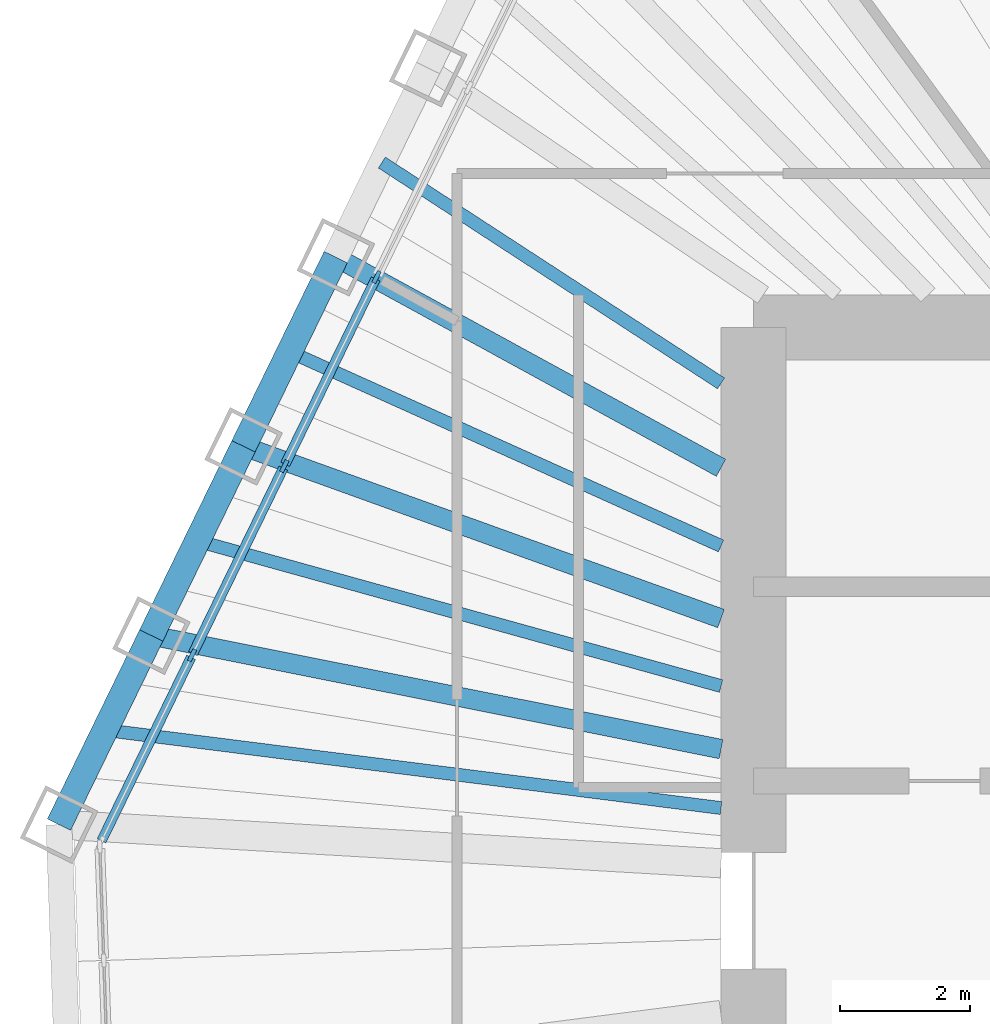
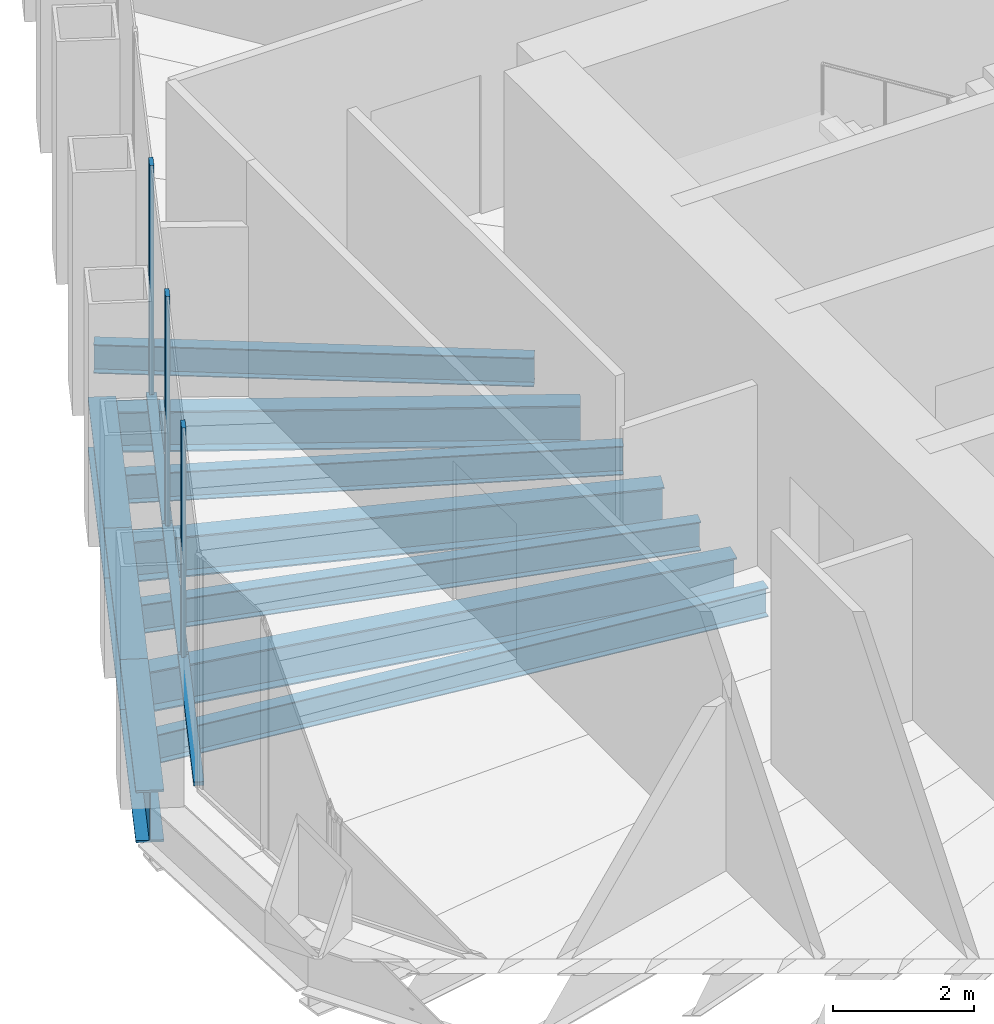
# One storey, part 4 of 14: 10 beams, 6 members, 1 element without a shape of its own.
"""IFC4 building model written with IfcOpenShell, lengths in metres."""

from ifc_helpers import new_model, si_unit, direction, frame, origin, origin_2d, place, context, subcontext, project, spatial, rectangle, i_section, extrude, material, material_profile, profile_set, type_object, element, aggregate, save


model = new_model("IFC4")

# Units and contexts
model_context = context("Model", 3, precision=1e-05, world=origin(), true_north=direction((0.0, 1.0)))
body_context = subcontext(model_context, "Body", "Model", "MODEL_VIEW")
ifc_project = project(units=[si_unit("LENGTHUNIT", "METRE"), si_unit("AREAUNIT", "SQUARE_METRE"), si_unit("VOLUMEUNIT", "CUBIC_METRE"), si_unit("PLANEANGLEUNIT", "RADIAN"), si_unit("MASSUNIT", "GRAM", prefix="KILO")], contexts=[model_context])

# Site, building, storey
site_placement = place(None, origin())
site = spatial("IfcSite", under=ifc_project, at=site_placement, CompositionType="ELEMENT")
building_placement = place(site_placement, origin())
building = spatial("IfcBuilding", under=site, at=building_placement, Name="Qingtian Harvest Tower", CompositionType="ELEMENT")
storey_placement = place(building_placement, frame((0.0, 0.0, 295.60009765625)))
storey = spatial("IfcBuildingStorey", under=building, at=storey_placement, Name="L65", CompositionType="ELEMENT", Elevation=295.60009765625)

# Beams
ifc_material_1 = material(Name="Steel SN490B", Category="steel")
ifc_material_profile_1 = material_profile(ifc_material_1, i_section(OverallWidth=0.300048828125, OverallDepth=0.699951171875, WebThickness=0.012939453125, FlangeThickness=0.02392578125, at=origin_2d()), Name="H700x300x13x24")
ifc_profile_set_1 = profile_set([ifc_material_profile_1], Name="Steel SN490B")
beam_type_1 = type_object("IfcBeamType", Name="Floor beam FB4 H700x300x13x24", PredefinedType="BEAM", material=ifc_profile_set_1)
beam_1_placement = place(storey_placement, frame((-21.29345703125, 4.246337890625, -0.52001953125), z_axis=(0.980688391079, -0.195576786971, 0.0), x_axis=(0.195576786971, 0.980688391079, 0.0)))
element("IfcBeam", 1, at=beam_1_placement, inside=storey, type_object=beam_type_1, Name="Floor beam FB4 NW1", PredefinedType="BEAM", context=body_context, shape_type="SweptSolid", body=[
    extrude(i_section(OverallWidth=0.300048828125, OverallDepth=0.699951171875, WebThickness=0.012939453125, FlangeThickness=0.02392578125, at=origin_2d()), origin(), (0.0, 0.0, 1.0), 8.966552734375),
])
beam_2_placement = place(storey_placement, frame((-19.86962890625, 7.165771484375, -0.52001953125), z_axis=(0.940688220757, -0.339272267256, 0.0), x_axis=(0.339272267256, 0.940688220757, 0.0)))
element("IfcBeam", 2, at=beam_2_placement, inside=storey, type_object=beam_type_1, Name="Floor beam FB4 NW2", PredefinedType="BEAM", context=body_context, shape_type="SweptSolid", body=[
    extrude(i_section(OverallWidth=0.300048828125, OverallDepth=0.699951171875, WebThickness=0.012939453125, FlangeThickness=0.02392578125, at=origin_2d()), origin(), (0.0, 0.0, 1.0), 7.834228515625),
])
beam_3_placement = place(storey_placement, frame((-18.44580078125, 10.0849609375, -0.52001953125), z_axis=(0.877425639682, -0.479712671116, 0.0), x_axis=(0.479712671116, 0.877425639682, 0.0)))
element("IfcBeam", 3, at=beam_3_placement, inside=storey, type_object=beam_type_1, Name="Floor beam FB4 NW3", PredefinedType="BEAM", context=body_context, shape_type="SweptSolid", body=[
    extrude(i_section(OverallWidth=0.300048828125, OverallDepth=0.699951171875, WebThickness=0.012939453125, FlangeThickness=0.02392578125, at=origin_2d()), origin(), (0.0, 0.0, 1.0), 6.7763671875),
])
ifc_material_2 = material(Name="Steel SN490B", Category="steel")
ifc_material_profile_2 = material_profile(ifc_material_2, i_section(OverallWidth=0.199951171875, OverallDepth=0.5, WebThickness=0.010009765625, FlangeThickness=0.01611328125, at=origin_2d()), Name="H500x200x10x16")
ifc_profile_set_2 = profile_set([ifc_material_profile_2], Name="Steel SN490B")
beam_type_2 = type_object("IfcBeamType", Name="Floor joist J3 H500x200x10x16", PredefinedType="JOIST", material=ifc_profile_set_2)
beam_4_placement = place(storey_placement, frame((-22.00537109375, 2.78662109375, -0.420166015625), z_axis=(0.992078247837, -0.125621455844, 0.0), x_axis=(0.125621455844, 0.992078247837, 0.0)))
element("IfcBeam", 4, at=beam_4_placement, inside=storey, type_object=beam_type_2, Name="Floor joist J3 NW0", PredefinedType="JOIST", context=body_context, shape_type="SweptSolid", body=[
    extrude(i_section(OverallWidth=0.199951171875, OverallDepth=0.5, WebThickness=0.010009765625, FlangeThickness=0.01611328125, at=origin_2d()), origin(), (0.0, 0.0, 1.0), 9.581298828125),
])
beam_5_placement = place(storey_placement, frame((-20.58154296875, 5.7060546875, -0.420166015625), z_axis=(0.963652918134, -0.267157356949, 0.0), x_axis=(0.267157356949, 0.963652918134, 0.0)))
element("IfcBeam", 5, at=beam_5_placement, inside=storey, type_object=beam_type_2, Name="Floor joist J3 NW1", PredefinedType="JOIST", context=body_context, shape_type="SweptSolid", body=[
    extrude(i_section(OverallWidth=0.199951171875, OverallDepth=0.5, WebThickness=0.010009765625, FlangeThickness=0.01611328125, at=origin_2d()), origin(), (0.0, 0.0, 1.0), 8.386474609375),
])
beam_6_placement = place(storey_placement, frame((-19.15771484375, 8.625244140625, -0.420166015625), z_axis=(0.911852669976, -0.410517610168, 0.0), x_axis=(0.410517610168, 0.911852669976, 0.0)))
element("IfcBeam", 6, at=beam_6_placement, inside=storey, type_object=beam_type_2, Name="Floor joist J3 NW2", PredefinedType="JOIST", context=body_context, shape_type="SweptSolid", body=[
    extrude(i_section(OverallWidth=0.199951171875, OverallDepth=0.5, WebThickness=0.010009765625, FlangeThickness=0.01611328125, at=origin_2d()), origin(), (0.0, 0.0, 1.0), 7.30126953125),
])
beam_7_placement = place(storey_placement, frame((-17.73388671875, 11.544677734375, -0.420166015625), z_axis=(0.838062930903, -0.545573573266, 0.0), x_axis=(0.545573573266, 0.838062930903, 0.0)))
element("IfcBeam", 7, at=beam_7_placement, inside=storey, type_object=beam_type_2, Name="Floor joist J3 NW3", PredefinedType="JOIST", context=body_context, shape_type="SweptSolid", body=[
    extrude(i_section(OverallWidth=0.199951171875, OverallDepth=0.5, WebThickness=0.010009765625, FlangeThickness=0.01611328125, at=origin_2d()), origin(), (0.0, 0.0, 1.0), 6.2451171875),
])

# Curtain wall, members
ifc_material_3 = material(Name="Bronze-anodised aluminium curtain wall", Category="aluminium")
curtain_wall_type = type_object("IfcCurtainWallType", Name="Curtain wall CW5 upper office", PredefinedType="USERDEFINED", material=ifc_material_3)
curtain_wall_placement = place(storey_placement, origin())
curtain_wall = element("IfcCurtainWall", 8, at=curtain_wall_placement, inside=storey, type_object=curtain_wall_type, Name="Curtain wall CW5 L65 NW0-5", ObjectType="RECESSED CURTAIN WALL", PredefinedType="USERDEFINED")
ifc_material_4 = material(Name="Bronze-anodised aluminium mullion", Category="aluminium")
ifc_material_profile_3 = material_profile(ifc_material_4, rectangle(XDim=0.06494140625, YDim=0.199951171875, at=origin_2d()), Name="AL 65x200")
ifc_profile_set_3 = profile_set([ifc_material_profile_3], Name="Bronze-anodised aluminium mullion")
member_type_1 = type_object("IfcMemberType", Name="Mullion CWM 65x200", PredefinedType="MULLION", material=ifc_profile_set_3)
member_1_placement = place(storey_placement, frame((-20.664306640625, 3.939453125, 0.0), z_axis=(0.0, 0.0, 1.0), x_axis=(-0.898794046299, 0.438371146789, 0.0)))
member_1 = element("IfcMember", 9, at=member_1_placement, type_object=member_type_1, Name="CW5 mullion 2", PredefinedType="MULLION", context=body_context, shape_type="SweptSolid", body=[
    extrude(rectangle(XDim=0.06494140625, YDim=0.199951171875, at=origin_2d()), origin(), (0.0, 0.0, 1.0), 4.02978515625),
])
member_2_placement = place(storey_placement, frame((-19.240478515625, 6.85888671875, 0.0), z_axis=(0.0, 0.0, 1.0), x_axis=(-0.898794046299, 0.438371146789, 0.0)))
member_2 = element("IfcMember", 10, at=member_2_placement, type_object=member_type_1, Name="CW5 mullion 3", PredefinedType="MULLION", context=body_context, shape_type="SweptSolid", body=[
    extrude(rectangle(XDim=0.06494140625, YDim=0.199951171875, at=origin_2d()), origin(), (0.0, 0.0, 1.0), 4.02978515625),
])
member_3_placement = place(storey_placement, frame((-17.816650390625, 9.778076171875, 0.0), z_axis=(0.0, 0.0, 1.0), x_axis=(-0.898794046299, 0.438371146789, 0.0)))
member_3 = element("IfcMember", 11, at=member_3_placement, type_object=member_type_1, Name="CW5 mullion 4", PredefinedType="MULLION", context=body_context, shape_type="SweptSolid", body=[
    extrude(rectangle(XDim=0.06494140625, YDim=0.199951171875, at=origin_2d()), origin(), (0.0, 0.0, 1.0), 4.02978515625),
])

# Beams
ifc_material_5 = material(Name="Steel SN490B", Category="steel")
ifc_material_profile_4 = material_profile(ifc_material_5, i_section(OverallWidth=0.39990234375, OverallDepth=0.89990234375, WebThickness=0.01904296875, FlangeThickness=0.035888671875, at=origin_2d()), Name="H900x400x19x36")
ifc_profile_set_4 = profile_set([ifc_material_profile_4], Name="Steel SN490B")
beam_type_3 = type_object("IfcBeamType", Name="Spandrel beam SB4 H900x400x19x36", PredefinedType="SPANDREL", material=ifc_profile_set_4)
beam_8_placement = place(storey_placement, frame((-22.71728515625, 1.3271484375, -0.4501953125), z_axis=(0.438382164311, 0.898788672611, 0.0), x_axis=(-0.898788672611, 0.438382164311, 0.0)))
element("IfcBeam", 12, at=beam_8_placement, inside=storey, type_object=beam_type_3, Name="Spandrel SB4 NW0", PredefinedType="SPANDREL", context=body_context, shape_type="SweptSolid", body=[
    extrude(i_section(OverallWidth=0.39990234375, OverallDepth=0.89990234375, WebThickness=0.01904296875, FlangeThickness=0.035888671875, at=origin_2d()), origin(), (0.0, 0.0, 1.0), 3.247802734375),
])
beam_9_placement = place(storey_placement, frame((-21.29345703125, 4.246337890625, -0.4501953125), z_axis=(0.438352548749, 0.898803116931, 0.0), x_axis=(-0.898803116931, 0.438352548749, 0.0)))
element("IfcBeam", 13, at=beam_9_placement, inside=storey, type_object=beam_type_3, Name="Spandrel SB4 NW1", PredefinedType="SPANDREL", context=body_context, shape_type="SweptSolid", body=[
    extrude(i_section(OverallWidth=0.39990234375, OverallDepth=0.89990234375, WebThickness=0.01904296875, FlangeThickness=0.035888671875, at=origin_2d()), origin(), (0.0, 0.0, 1.0), 3.248046875),
])
beam_10_placement = place(storey_placement, frame((-19.86962890625, 7.165771484375, -0.4501953125), z_axis=(0.438382164311, 0.898788672611, 0.0), x_axis=(-0.898788672611, 0.438382164311, 0.0)))
element("IfcBeam", 14, at=beam_10_placement, inside=storey, type_object=beam_type_3, Name="Spandrel SB4 NW2", PredefinedType="SPANDREL", context=body_context, shape_type="SweptSolid", body=[
    extrude(i_section(OverallWidth=0.39990234375, OverallDepth=0.89990234375, WebThickness=0.01904296875, FlangeThickness=0.035888671875, at=origin_2d()), origin(), (0.0, 0.0, 1.0), 3.247802734375),
])

# Member
ifc_material_6 = material(Name="Bronze-anodised aluminium transom", Category="aluminium")
ifc_material_profile_5 = material_profile(ifc_material_6, rectangle(XDim=0.14990234375, YDim=0.06494140625, at=origin_2d()), Name="AL 65x150")
ifc_profile_set_5 = profile_set([ifc_material_profile_5], Name="Bronze-anodised aluminium transom")
member_type_2 = type_object("IfcMemberType", Name="Transom CWT 65x150", PredefinedType="USERDEFINED", material=ifc_profile_set_5)
member_4_placement = place(storey_placement, frame((-22.059814453125, 1.07861328125, 0.032470703125), z_axis=(0.438357982629, 0.89880046677, 0.0), x_axis=(-0.89880046677, 0.438357982629, 0.0)))
member_4 = element("IfcMember", 15, at=member_4_placement, type_object=member_type_2, Name="CW5 transom 1.1", ObjectType="TRANSOM", PredefinedType="USERDEFINED", context=body_context, shape_type="SweptSolid", body=[
    extrude(rectangle(XDim=0.14990234375, YDim=0.06494140625, at=origin_2d()), origin(), (0.0, 0.0, 1.0), 3.150634765625),
])

member_5_placement = place(storey_placement, frame((-20.650146484375, 3.96875, 0.032470703125), z_axis=(0.438355626738, 0.898801615768, 0.0), x_axis=(-0.898801615768, 0.438355626738, 0.0)))
member_5 = element("IfcMember", 16, at=member_5_placement, type_object=member_type_2, Name="CW5 transom 2.1", ObjectType="TRANSOM", PredefinedType="USERDEFINED", context=body_context, shape_type="SweptSolid", body=[
    extrude(rectangle(XDim=0.14990234375, YDim=0.06494140625, at=origin_2d()), origin(), (0.0, 0.0, 1.0), 3.182861328125),
])

member_6_placement = place(storey_placement, frame((-19.226318359375, 6.887939453125, 0.032470703125), z_axis=(0.438325408134, 0.898816353091, 0.0), x_axis=(-0.898816353091, 0.438325408134, 0.0)))
member_6 = element("IfcMember", 17, at=member_6_placement, type_object=member_type_2, Name="CW5 transom 3.1", ObjectType="TRANSOM", PredefinedType="USERDEFINED", context=body_context, shape_type="SweptSolid", body=[
    extrude(rectangle(XDim=0.14990234375, YDim=0.06494140625, at=origin_2d()), origin(), (0.0, 0.0, 1.0), 3.18310546875),
])

aggregate(curtain_wall, [member_1, member_2, member_3, member_4, member_5, member_6])

save(model, "model.ifc")
